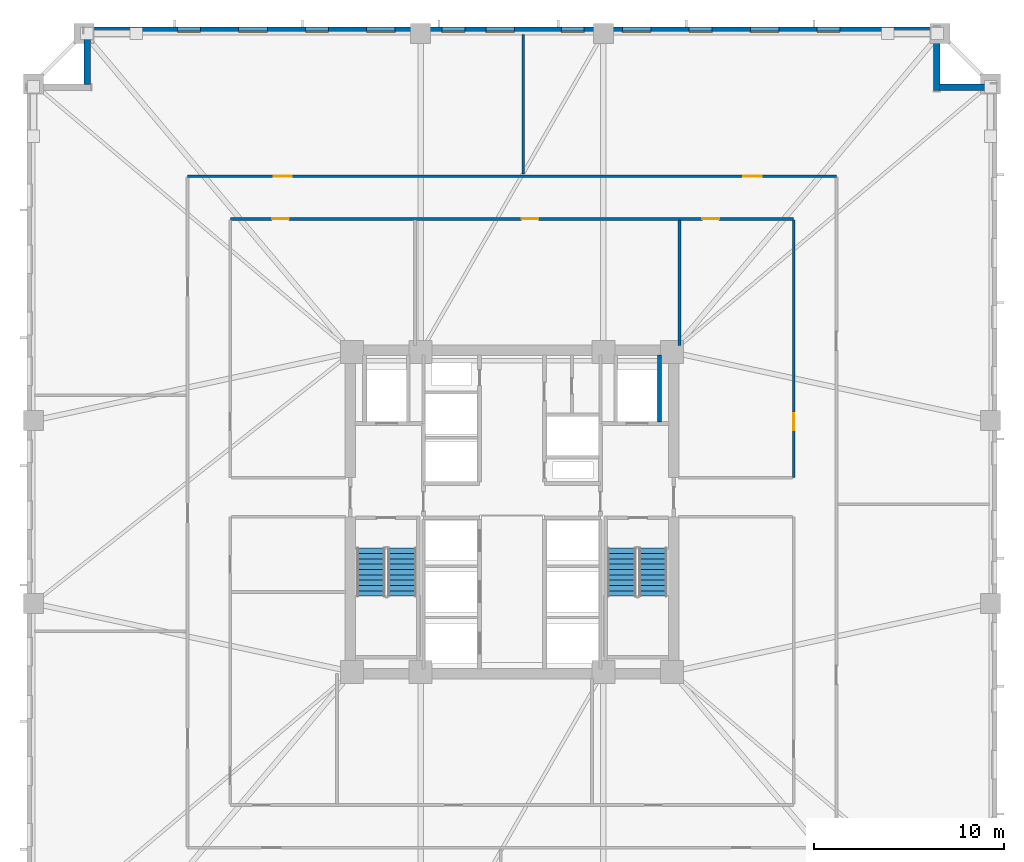
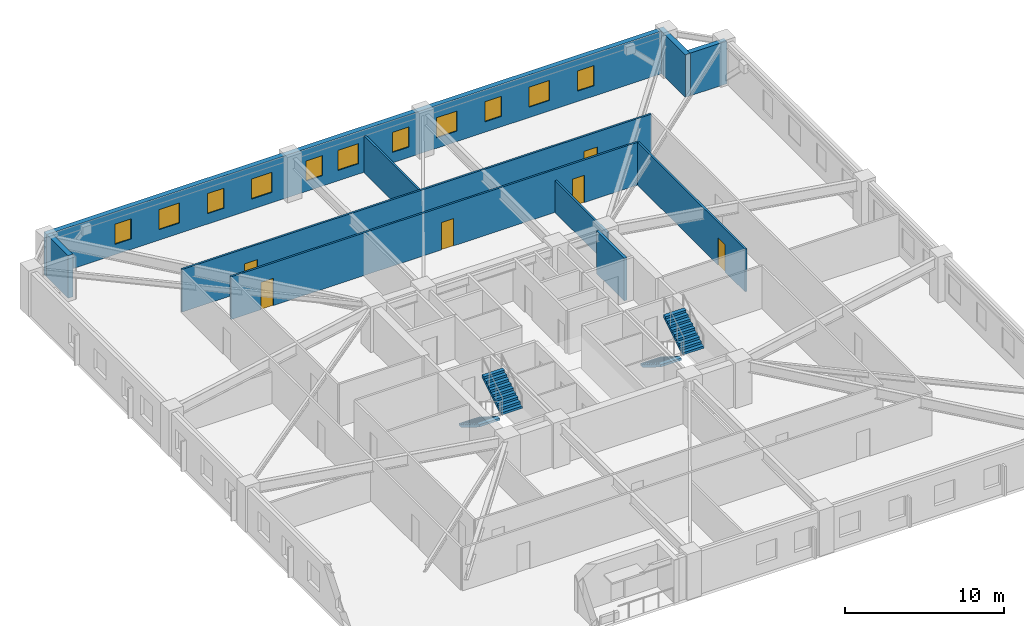
# One storey, part 5 of 10: 11 windows, 10 walls, 6 doors, 4 stair flights, 17 openings, 2 elements without a shape of their own.
"""IFC4 building model written with IfcOpenShell, lengths in metres."""

from ifc_helpers import new_model, si_unit, direction, frame, frame_2d, origin, place, context, subcontext, project, spatial, polyline, rectangle, outline, extrude, material, layer, layer_set, type_object, element, fill, aggregate, save


model = new_model("IFC4")

# Units and contexts
model_context = context("Model", 3, precision=1e-05, world=origin(), true_north=direction((0.0, 1.0)))
body_context = subcontext(model_context, "Body", "Model", "MODEL_VIEW")
ifc_project = project(units=[si_unit("LENGTHUNIT", "METRE"), si_unit("AREAUNIT", "SQUARE_METRE"), si_unit("VOLUMEUNIT", "CUBIC_METRE"), si_unit("PLANEANGLEUNIT", "RADIAN"), si_unit("MASSUNIT", "GRAM", prefix="KILO")], contexts=[model_context])

# Site, building, storey
site_placement = place(None, origin())
site = spatial("IfcSite", under=ifc_project, at=site_placement, CompositionType="ELEMENT")
building_placement = place(site_placement, origin())
building = spatial("IfcBuilding", under=site, at=building_placement, Name="Cairnveth Concourse Tower", CompositionType="ELEMENT")
storey_placement = place(building_placement, frame((0.0, 0.0, 27.0)))
storey = spatial("IfcBuildingStorey", under=building, at=storey_placement, Name="L06", CompositionType="ELEMENT", Elevation=27.0)

# Wall
ifc_material_1 = material(Name="Concrete N50 (50 MPa)", Category="concrete")
ifc_layer_1 = layer(ifc_material_1, 0.199951171875)
ifc_layer_set_1 = layer_set([ifc_layer_1], Name="Concrete N50 (50 MPa)")
wall_type_1 = type_object("IfcWallType", Name="FIRE SHAFT WALL 200", PredefinedType="SOLIDWALL", material=ifc_layer_set_1)
wall_1_placement = place(storey_placement, frame((59.75, 43.735107421875, 0.0), z_axis=(0.0, 0.0, 1.0), x_axis=(0.0, 1.0, 0.0)))
element("IfcWall", 1, at=wall_1_placement, inside=storey, type_object=wall_type_1, Name="Interior Wall IW-L06-024", PredefinedType="SOLIDWALL", context=body_context, shape_type="SweptSolid", body=[
    extrude(rectangle(XDim=3.5048828125, YDim=0.199951171875, at=frame_2d((1.75244140625, 0.0))), origin(), (0.0, 0.0, 1.0), 3.280029296875),
])

# Wall, openings, doors
ifc_material_2 = material(Name="Gypsum Plasterboard Partition", Category="gypsum")
ifc_layer_2 = layer(ifc_material_2, 0.139892578125)
ifc_layer_set_2 = layer_set([ifc_layer_2], Name="Gypsum Plasterboard Partition")
wall_type_2 = type_object("IfcWallType", Name="GYPSUM STUD PARTITION 140", PredefinedType="PARTITIONING", material=ifc_layer_set_2)
wall_2_placement = place(storey_placement, frame((34.949951171875, 56.64990234375, 0.0), z_axis=(0.0, 0.0, 1.0), x_axis=(1.0, 0.0, 0.0)))
wall_2 = element("IfcWall", 2, at=wall_2_placement, inside=storey, type_object=wall_type_2, Name="Interior Wall IW-L06-039", PredefinedType="PARTITIONING", context=body_context, shape_type="SweptSolid", body=[
    extrude(rectangle(XDim=34.10009765625, YDim=0.139892578125, at=frame_2d((17.050048828125, 0.0))), origin(), (0.0, 0.0, 1.0), 3.280029296875),
])
opening_1_placement = place(wall_2_placement, frame((4.5224609375, 0.0, 0.0)))
opening_1 = element("IfcOpeningElement", 3, at=opening_1_placement, cuts=wall_2, Name="Opening ID11", PredefinedType="OPENING", context=body_context, shape_type="SweptSolid", body=[
    extrude(rectangle(XDim=0.9599609375, YDim=2.1201171875, at=frame_2d((0.47998046875, 1.06005859375))), frame((0.0, 0.079833984375, 0.0), z_axis=(0.0, -1.0, 0.0), x_axis=(1.0, 0.0, 0.0)), (0.0, 0.0, 1.0), 0.159912109375),
])
opening_2_placement = place(wall_2_placement, frame((29.202392578125, 0.0, 0.0)))
opening_2 = element("IfcOpeningElement", 4, at=opening_2_placement, cuts=wall_2, Name="Opening ID11", PredefinedType="OPENING", context=body_context, shape_type="SweptSolid", body=[
    extrude(rectangle(XDim=0.9599609375, YDim=2.1201171875, at=frame_2d((0.47998046875, 1.06005859375))), frame((0.0, 0.079833984375, 0.0), z_axis=(0.0, -1.0, 0.0), x_axis=(1.0, 0.0, 0.0)), (0.0, 0.0, 1.0), 0.159912109375),
])
ifc_material_3 = material(Name="Solid Core Hardwood Timber Leaf", Category="wood")
door_type_1 = type_object("IfcDoorType", Name="INTERIOR SINGLE DOOR 960X2150", OperationType="NOTDEFINED", PredefinedType="DOOR", material=ifc_material_3)
door_1_placement = place(opening_1_placement, origin())
door_1 = element("IfcDoor", 5, at=door_1_placement, inside=storey, type_object=door_type_1, Name="Office Door L06-N1", OperationType="SINGLE_SWING_LEFT", OverallHeight=2.1201171875, OverallWidth=0.9599609375, PredefinedType="DOOR", context=body_context, shape_type="SweptSolid", body=[
    extrude(rectangle(XDim=0.9599609375, YDim=2.1201171875, at=frame_2d((0.47998046875, 1.06005859375))), frame((0.0, 0.02490234375, 0.0), z_axis=(0.0, -1.0, 0.0), x_axis=(1.0, 0.0, 0.0)), (0.0, 0.0, 1.0), 0.050048828125),
])
fill(opening_1, door_1)
door_2_placement = place(opening_2_placement, origin())
door_2 = element("IfcDoor", 6, at=door_2_placement, inside=storey, type_object=door_type_1, Name="Office Door L06-N2", OperationType="SINGLE_SWING_RIGHT", OverallHeight=2.1201171875, OverallWidth=0.9599609375, PredefinedType="DOOR", context=body_context, shape_type="SweptSolid", body=[
    extrude(rectangle(XDim=0.9599609375, YDim=2.1201171875, at=frame_2d((0.47998046875, 1.06005859375))), frame((0.0, 0.02490234375, 0.0), z_axis=(0.0, -1.0, 0.0), x_axis=(1.0, 0.0, 0.0)), (0.0, 0.0, 1.0), 0.050048828125),
])
fill(opening_2, door_2)

wall_3_placement = place(storey_placement, frame((37.199951171875, 54.39990234375, 0.0), z_axis=(0.0, 0.0, 1.0), x_axis=(1.0, 0.0, 0.0)))
wall_3 = element("IfcWall", 7, at=wall_3_placement, inside=storey, type_object=wall_type_2, Name="Interior Wall IW-L06-043", PredefinedType="PARTITIONING", context=body_context, shape_type="SweptSolid", body=[
    extrude(rectangle(XDim=29.60009765625, YDim=0.139892578125, at=frame_2d((14.800048828125, 0.0))), origin(), (0.0, 0.0, 1.0), 3.280029296875),
])
opening_3_placement = place(wall_3_placement, frame((2.199951171875, 0.0, 0.0)))
opening_3 = element("IfcOpeningElement", 8, at=opening_3_placement, cuts=wall_3, Name="Opening ID18", PredefinedType="OPENING", context=body_context, shape_type="SweptSolid", body=[
    extrude(rectangle(XDim=0.8798828125, YDim=2.10009765625, at=frame_2d((0.43994140625, 1.050048828125))), frame((0.0, 0.079833984375, 0.0), z_axis=(0.0, -1.0, 0.0), x_axis=(1.0, 0.0, 0.0)), (0.0, 0.0, 1.0), 0.159912109375),
])
opening_4_placement = place(wall_3_placement, frame((15.300048828125, 0.0, 0.0)))
opening_4 = element("IfcOpeningElement", 9, at=opening_4_placement, cuts=wall_3, Name="Opening ID18", PredefinedType="OPENING", context=body_context, shape_type="SweptSolid", body=[
    extrude(rectangle(XDim=0.8798828125, YDim=2.10009765625, at=frame_2d((0.43994140625, 1.050048828125))), frame((0.0, 0.079833984375, 0.0), z_axis=(0.0, -1.0, 0.0), x_axis=(1.0, 0.0, 0.0)), (0.0, 0.0, 1.0), 0.159912109375),
])
opening_5_placement = place(wall_3_placement, frame((24.800048828125, 0.0, 0.0)))
opening_5 = element("IfcOpeningElement", 10, at=opening_5_placement, cuts=wall_3, Name="Opening ID18", PredefinedType="OPENING", context=body_context, shape_type="SweptSolid", body=[
    extrude(rectangle(XDim=0.8798828125, YDim=2.10009765625, at=frame_2d((0.43994140625, 1.050048828125))), frame((0.0, 0.079833984375, 0.0), z_axis=(0.0, -1.0, 0.0), x_axis=(1.0, 0.0, 0.0)), (0.0, 0.0, 1.0), 0.159912109375),
])
door_type_2 = type_object("IfcDoorType", Name="INTERIOR SINGLE DOOR 880X2100", OperationType="NOTDEFINED", PredefinedType="DOOR", material=ifc_material_3)
door_3_placement = place(opening_3_placement, origin())
door_3 = element("IfcDoor", 11, at=door_3_placement, inside=storey, type_object=door_type_2, Name="Interior Door DR-L06-017", OperationType="SINGLE_SWING_LEFT", OverallHeight=2.10009765625, OverallWidth=0.8798828125, PredefinedType="DOOR", context=body_context, shape_type="SweptSolid", body=[
    extrude(rectangle(XDim=0.8798828125, YDim=2.10009765625, at=frame_2d((0.43994140625, 1.050048828125))), frame((0.0, 0.02490234375, 0.0), z_axis=(0.0, -1.0, 0.0), x_axis=(1.0, 0.0, 0.0)), (0.0, 0.0, 1.0), 0.050048828125),
])
fill(opening_3, door_3)
door_4_placement = place(opening_4_placement, origin())
door_4 = element("IfcDoor", 12, at=door_4_placement, inside=storey, type_object=door_type_2, Name="Interior Door DR-L06-018", OperationType="SINGLE_SWING_RIGHT", OverallHeight=2.10009765625, OverallWidth=0.8798828125, PredefinedType="DOOR", context=body_context, shape_type="SweptSolid", body=[
    extrude(rectangle(XDim=0.8798828125, YDim=2.10009765625, at=frame_2d((0.43994140625, 1.050048828125))), frame((0.0, 0.02490234375, 0.0), z_axis=(0.0, -1.0, 0.0), x_axis=(1.0, 0.0, 0.0)), (0.0, 0.0, 1.0), 0.050048828125),
])
fill(opening_4, door_4)
door_5_placement = place(opening_5_placement, origin())
door_5 = element("IfcDoor", 13, at=door_5_placement, inside=storey, type_object=door_type_2, Name="Interior Door DR-L06-019", OperationType="SINGLE_SWING_LEFT", OverallHeight=2.10009765625, OverallWidth=0.8798828125, PredefinedType="DOOR", context=body_context, shape_type="SweptSolid", body=[
    extrude(rectangle(XDim=0.8798828125, YDim=2.10009765625, at=frame_2d((0.43994140625, 1.050048828125))), frame((0.0, 0.02490234375, 0.0), z_axis=(0.0, -1.0, 0.0), x_axis=(1.0, 0.0, 0.0)), (0.0, 0.0, 1.0), 0.050048828125),
])
fill(opening_5, door_5)

# Wall, opening, door
wall_4_placement = place(storey_placement, frame((66.800048828125, 40.800048828125, 0.0), z_axis=(0.0, 0.0, 1.0), x_axis=(0.0, 1.0, 0.0)))
wall_4 = element("IfcWall", 14, at=wall_4_placement, inside=storey, type_object=wall_type_2, Name="Interior Wall IW-L06-049", PredefinedType="PARTITIONING", context=body_context, shape_type="SweptSolid", body=[
    extrude(rectangle(XDim=13.544921875, YDim=0.139892578125, at=frame_2d((6.7724609375, 0.0))), origin(), (0.0, 0.0, 1.0), 3.280029296875),
])
opening_6_placement = place(wall_4_placement, frame((2.5, 0.0, 0.0)))
opening_6 = element("IfcOpeningElement", 15, at=opening_6_placement, cuts=wall_4, Name="Opening ID18", PredefinedType="OPENING", context=body_context, shape_type="SweptSolid", body=[
    extrude(rectangle(XDim=0.8798828125, YDim=2.10009765625, at=frame_2d((0.43994140625, 1.050048828125))), frame((0.0, 0.079833984375, 0.0), z_axis=(0.0, -1.0, 0.0), x_axis=(1.0, 0.0, 0.0)), (0.0, 0.0, 1.0), 0.159912109375),
])
door_6_placement = place(opening_6_placement, origin())
door_6 = element("IfcDoor", 16, at=door_6_placement, inside=storey, type_object=door_type_2, Name="Interior Door DR-L06-024", OperationType="SINGLE_SWING_RIGHT", OverallHeight=2.10009765625, OverallWidth=0.8798828125, PredefinedType="DOOR", context=body_context, shape_type="SweptSolid", body=[
    extrude(rectangle(XDim=0.8798828125, YDim=2.10009765625, at=frame_2d((0.43994140625, 1.050048828125))), frame((0.0, 0.02490234375, 0.0), z_axis=(0.0, -1.0, 0.0), x_axis=(1.0, 0.0, 0.0)), (0.0, 0.0, 1.0), 0.050048828125),
])
fill(opening_6, door_6)

# Walls
wall_5_placement = place(storey_placement, frame((60.800048828125, 47.760009765625, 0.0), z_axis=(0.0, 0.0, 1.0), x_axis=(0.0, 1.0, 0.0)))
element("IfcWall", 17, at=wall_5_placement, inside=storey, type_object=wall_type_2, Name="Interior Wall IW-L06-055", PredefinedType="PARTITIONING", context=body_context, shape_type="SweptSolid", body=[
    extrude(rectangle(XDim=6.5849609375, YDim=0.139892578125, at=frame_2d((3.29248046875, 0.0))), origin(), (0.0, 0.0, 1.0), 2.43896484375),
])
wall_6_placement = place(storey_placement, frame((52.5849609375, 56.75, 0.0), z_axis=(0.0, 0.0, 1.0), x_axis=(0.0, 1.0, 0.0)))
element("IfcWall", 18, at=wall_6_placement, inside=storey, type_object=wall_type_2, Name="Interior Wall IW-L06-058", PredefinedType="PARTITIONING", context=body_context, shape_type="SweptSolid", body=[
    extrude(rectangle(XDim=7.330078125, YDim=0.139892578125, at=frame_2d((3.6650390625, 0.0))), origin(), (0.0, 0.0, 1.0), 2.84912109375),
])
ifc_material_4 = material(Name="Hawthorn Red-Ochre Fired Clay Brick Masonry", Category="masonry")
ifc_layer_3 = layer(ifc_material_4, 0.360107421875)
ifc_layer_set_3 = layer_set([ifc_layer_3], Name="Hawthorn Red-Ochre Fired Clay Brick Masonry")
wall_type_3 = type_object("IfcWallType", Name="ZONE 1 BRICK PIER SPANDREL WALL 360", PredefinedType="SOLIDWALL", material=ifc_layer_set_3)
wall_7_placement = place(storey_placement, frame((29.679931640625, 61.47802734375, 0.0), z_axis=(0.0, 0.0, 1.0), x_axis=(0.0, 1.0, 0.0)))
element("IfcWall", 19, at=wall_7_placement, inside=storey, type_object=wall_type_3, Name="Exterior Wall EW-L06-S05", PredefinedType="SOLIDWALL", context=body_context, shape_type="SweptSolid", body=[
    extrude(rectangle(XDim=2.68408203125, YDim=0.360107421875, at=frame_2d((1.342041015625, 0.0))), origin(), (0.0, 0.0, 1.0), 3.280029296875),
])

# Wall, openings, windows
wall_8_placement = place(storey_placement, frame((29.5, 64.320068359375, 0.0), z_axis=(0.0, 0.0, 1.0), x_axis=(1.0, 0.0, 0.0)))
wall_8 = element("IfcWall", 20, at=wall_8_placement, inside=storey, type_object=wall_type_3, Name="Exterior Wall EW-L06-S06", PredefinedType="SOLIDWALL", context=body_context, shape_type="SweptSolid", body=[
    extrude(rectangle(XDim=44.662109375, YDim=0.360107421875, at=frame_2d((22.3310546875, 0.0))), origin(), (0.0, 0.0, 1.0), 3.280029296875),
])
opening_7_placement = place(wall_8_placement, frame((4.93017578125, 0.0, 0.800048828125)))
opening_7 = element("IfcOpeningElement", 21, at=opening_7_placement, cuts=wall_8, Name="Opening W01", PredefinedType="OPENING", context=body_context, shape_type="SweptSolid", body=[
    extrude(rectangle(XDim=1.199951171875, YDim=1.5439453125, at=frame_2d((0.60009765625, 0.77197265625))), frame((0.0, 0.18994140625, 0.0), z_axis=(0.0, -1.0, 0.0), x_axis=(1.0, 0.0, 0.0)), (0.0, 0.0, 1.0), 0.380126953125),
])
opening_8_placement = place(wall_8_placement, frame((8.140380859375, 0.0, 0.800048828125)))
opening_8 = element("IfcOpeningElement", 22, at=opening_8_placement, cuts=wall_8, Name="Opening W03", PredefinedType="OPENING", context=body_context, shape_type="SweptSolid", body=[
    extrude(rectangle(XDim=1.5, YDim=1.5439453125, at=frame_2d((0.75, 0.77197265625))), frame((0.0, 0.18994140625, 0.0), z_axis=(0.0, -1.0, 0.0), x_axis=(1.0, 0.0, 0.0)), (0.0, 0.0, 1.0), 0.380126953125),
])
opening_9_placement = place(wall_8_placement, frame((11.650390625, 0.0, 0.800048828125)))
opening_9 = element("IfcOpeningElement", 23, at=opening_9_placement, cuts=wall_8, Name="Opening W01", PredefinedType="OPENING", context=body_context, shape_type="SweptSolid", body=[
    extrude(rectangle(XDim=1.199951171875, YDim=1.5439453125, at=frame_2d((0.60009765625, 0.77197265625))), frame((0.0, 0.18994140625, 0.0), z_axis=(0.0, -1.0, 0.0), x_axis=(1.0, 0.0, 0.0)), (0.0, 0.0, 1.0), 0.380126953125),
])
opening_10_placement = place(wall_8_placement, frame((14.860595703125, 0.0, 0.800048828125)))
opening_10 = element("IfcOpeningElement", 24, at=opening_10_placement, cuts=wall_8, Name="Opening W03", PredefinedType="OPENING", context=body_context, shape_type="SweptSolid", body=[
    extrude(rectangle(XDim=1.5, YDim=1.5439453125, at=frame_2d((0.75, 0.77197265625))), frame((0.0, 0.18994140625, 0.0), z_axis=(0.0, -1.0, 0.0), x_axis=(1.0, 0.0, 0.0)), (0.0, 0.0, 1.0), 0.380126953125),
])
opening_11_placement = place(wall_8_placement, frame((18.82080078125, 0.0, 0.800048828125)))
opening_11 = element("IfcOpeningElement", 25, at=opening_11_placement, cuts=wall_8, Name="Opening W01", PredefinedType="OPENING", context=body_context, shape_type="SweptSolid", body=[
    extrude(rectangle(XDim=1.199951171875, YDim=1.5439453125, at=frame_2d((0.60009765625, 0.77197265625))), frame((0.0, 0.18994140625, 0.0), z_axis=(0.0, -1.0, 0.0), x_axis=(1.0, 0.0, 0.0)), (0.0, 0.0, 1.0), 0.380126953125),
])
opening_12_placement = place(wall_8_placement, frame((21.131103515625, 0.0, 0.800048828125)))
opening_12 = element("IfcOpeningElement", 26, at=opening_12_placement, cuts=wall_8, Name="Opening W03", PredefinedType="OPENING", context=body_context, shape_type="SweptSolid", body=[
    extrude(rectangle(XDim=1.5, YDim=1.5439453125, at=frame_2d((0.75, 0.77197265625))), frame((0.0, 0.18994140625, 0.0), z_axis=(0.0, -1.0, 0.0), x_axis=(1.0, 0.0, 0.0)), (0.0, 0.0, 1.0), 0.380126953125),
])
opening_13_placement = place(wall_8_placement, frame((25.09130859375, 0.0, 0.800048828125)))
opening_13 = element("IfcOpeningElement", 27, at=opening_13_placement, cuts=wall_8, Name="Opening W01", PredefinedType="OPENING", context=body_context, shape_type="SweptSolid", body=[
    extrude(rectangle(XDim=1.199951171875, YDim=1.5439453125, at=frame_2d((0.60009765625, 0.77197265625))), frame((0.0, 0.18994140625, 0.0), z_axis=(0.0, -1.0, 0.0), x_axis=(1.0, 0.0, 0.0)), (0.0, 0.0, 1.0), 0.380126953125),
])
opening_14_placement = place(wall_8_placement, frame((28.301513671875, 0.0, 0.800048828125)))
opening_14 = element("IfcOpeningElement", 28, at=opening_14_placement, cuts=wall_8, Name="Opening W03", PredefinedType="OPENING", context=body_context, shape_type="SweptSolid", body=[
    extrude(rectangle(XDim=1.5, YDim=1.5439453125, at=frame_2d((0.75, 0.77197265625))), frame((0.0, 0.18994140625, 0.0), z_axis=(0.0, -1.0, 0.0), x_axis=(1.0, 0.0, 0.0)), (0.0, 0.0, 1.0), 0.380126953125),
])
opening_15_placement = place(wall_8_placement, frame((31.8115234375, 0.0, 0.800048828125)))
opening_15 = element("IfcOpeningElement", 29, at=opening_15_placement, cuts=wall_8, Name="Opening W01", PredefinedType="OPENING", context=body_context, shape_type="SweptSolid", body=[
    extrude(rectangle(XDim=1.199951171875, YDim=1.5439453125, at=frame_2d((0.60009765625, 0.77197265625))), frame((0.0, 0.18994140625, 0.0), z_axis=(0.0, -1.0, 0.0), x_axis=(1.0, 0.0, 0.0)), (0.0, 0.0, 1.0), 0.380126953125),
])
opening_16_placement = place(wall_8_placement, frame((35.021728515625, 0.0, 0.800048828125)))
opening_16 = element("IfcOpeningElement", 30, at=opening_16_placement, cuts=wall_8, Name="Opening W03", PredefinedType="OPENING", context=body_context, shape_type="SweptSolid", body=[
    extrude(rectangle(XDim=1.5, YDim=1.5439453125, at=frame_2d((0.75, 0.77197265625))), frame((0.0, 0.18994140625, 0.0), z_axis=(0.0, -1.0, 0.0), x_axis=(1.0, 0.0, 0.0)), (0.0, 0.0, 1.0), 0.380126953125),
])
opening_17_placement = place(wall_8_placement, frame((38.531982421875, 0.0, 0.800048828125)))
opening_17 = element("IfcOpeningElement", 31, at=opening_17_placement, cuts=wall_8, Name="Opening W01", PredefinedType="OPENING", context=body_context, shape_type="SweptSolid", body=[
    extrude(rectangle(XDim=1.199951171875, YDim=1.5439453125, at=frame_2d((0.60009765625, 0.77197265625))), frame((0.0, 0.18994140625, 0.0), z_axis=(0.0, -1.0, 0.0), x_axis=(1.0, 0.0, 0.0)), (0.0, 0.0, 1.0), 0.380126953125),
])
ifc_material_5 = material(Name="Double Glazed Low-E Clear Glass", Category="glass")
window_type_1 = type_object("IfcWindowType", Name="DEEP-SET GOTHIC LANCET WINDOW 1200X1800", PartitioningType="DOUBLE_PANEL_VERTICAL", PredefinedType="WINDOW", material=ifc_material_5)
window_1_placement = place(opening_7_placement, origin())
window_1 = element("IfcWindow", 32, at=window_1_placement, inside=storey, type_object=window_type_1, Name="Gothic Lancet Window L06-6-1", OverallHeight=1.5439453125, OverallWidth=1.199951171875, PartitioningType="SINGLE_PANEL", PredefinedType="WINDOW", context=body_context, shape_type="SweptSolid", body=[
    extrude(rectangle(XDim=1.199951171875, YDim=1.5439453125, at=frame_2d((0.60009765625, 0.77197265625))), frame((0.0, -0.050048828125, 0.0), z_axis=(0.0, -1.0, 0.0), x_axis=(1.0, 0.0, 0.0)), (0.0, 0.0, 1.0), 0.06005859375),
])
fill(opening_7, window_1)
window_2_placement = place(opening_9_placement, origin())
window_2 = element("IfcWindow", 33, at=window_2_placement, inside=storey, type_object=window_type_1, Name="Gothic Lancet Window L06-6-3", OverallHeight=1.5439453125, OverallWidth=1.199951171875, PartitioningType="SINGLE_PANEL", PredefinedType="WINDOW", context=body_context, shape_type="SweptSolid", body=[
    extrude(rectangle(XDim=1.199951171875, YDim=1.5439453125, at=frame_2d((0.60009765625, 0.77197265625))), frame((0.0, -0.050048828125, 0.0), z_axis=(0.0, -1.0, 0.0), x_axis=(1.0, 0.0, 0.0)), (0.0, 0.0, 1.0), 0.06005859375),
])
fill(opening_9, window_2)
window_3_placement = place(opening_11_placement, origin())
window_3 = element("IfcWindow", 34, at=window_3_placement, inside=storey, type_object=window_type_1, Name="Gothic Lancet Window L06-6-5", OverallHeight=1.5439453125, OverallWidth=1.199951171875, PartitioningType="SINGLE_PANEL", PredefinedType="WINDOW", context=body_context, shape_type="SweptSolid", body=[
    extrude(rectangle(XDim=1.199951171875, YDim=1.5439453125, at=frame_2d((0.60009765625, 0.77197265625))), frame((0.0, -0.050048828125, 0.0), z_axis=(0.0, -1.0, 0.0), x_axis=(1.0, 0.0, 0.0)), (0.0, 0.0, 1.0), 0.06005859375),
])
fill(opening_11, window_3)
window_4_placement = place(opening_13_placement, origin())
window_4 = element("IfcWindow", 35, at=window_4_placement, inside=storey, type_object=window_type_1, Name="Gothic Lancet Window L06-6-7", OverallHeight=1.5439453125, OverallWidth=1.199951171875, PartitioningType="SINGLE_PANEL", PredefinedType="WINDOW", context=body_context, shape_type="SweptSolid", body=[
    extrude(rectangle(XDim=1.199951171875, YDim=1.5439453125, at=frame_2d((0.60009765625, 0.77197265625))), frame((0.0, -0.050048828125, 0.0), z_axis=(0.0, -1.0, 0.0), x_axis=(1.0, 0.0, 0.0)), (0.0, 0.0, 1.0), 0.06005859375),
])
fill(opening_13, window_4)
window_5_placement = place(opening_15_placement, origin())
window_5 = element("IfcWindow", 36, at=window_5_placement, inside=storey, type_object=window_type_1, Name="Gothic Lancet Window L06-6-9", OverallHeight=1.5439453125, OverallWidth=1.199951171875, PartitioningType="SINGLE_PANEL", PredefinedType="WINDOW", context=body_context, shape_type="SweptSolid", body=[
    extrude(rectangle(XDim=1.199951171875, YDim=1.5439453125, at=frame_2d((0.60009765625, 0.77197265625))), frame((0.0, -0.050048828125, 0.0), z_axis=(0.0, -1.0, 0.0), x_axis=(1.0, 0.0, 0.0)), (0.0, 0.0, 1.0), 0.06005859375),
])
fill(opening_15, window_5)
window_6_placement = place(opening_17_placement, origin())
window_6 = element("IfcWindow", 37, at=window_6_placement, inside=storey, type_object=window_type_1, Name="Gothic Lancet Window L06-6-11", OverallHeight=1.5439453125, OverallWidth=1.199951171875, PartitioningType="SINGLE_PANEL", PredefinedType="WINDOW", context=body_context, shape_type="SweptSolid", body=[
    extrude(rectangle(XDim=1.199951171875, YDim=1.5439453125, at=frame_2d((0.60009765625, 0.77197265625))), frame((0.0, -0.050048828125, 0.0), z_axis=(0.0, -1.0, 0.0), x_axis=(1.0, 0.0, 0.0)), (0.0, 0.0, 1.0), 0.06005859375),
])
fill(opening_17, window_6)
window_type_2 = type_object("IfcWindowType", Name="DEEP-SET GOTHIC LANCET WINDOW 1500X1800", PartitioningType="DOUBLE_PANEL_VERTICAL", PredefinedType="WINDOW", material=ifc_material_5)
window_7_placement = place(opening_8_placement, origin())
window_7 = element("IfcWindow", 38, at=window_7_placement, inside=storey, type_object=window_type_2, Name="Gothic Lancet Window L06-6-2", OverallHeight=1.5439453125, OverallWidth=1.5, PartitioningType="SINGLE_PANEL", PredefinedType="WINDOW", context=body_context, shape_type="SweptSolid", body=[
    extrude(rectangle(XDim=1.5, YDim=1.5439453125, at=frame_2d((0.75, 0.77197265625))), frame((0.0, -0.050048828125, 0.0), z_axis=(0.0, -1.0, 0.0), x_axis=(1.0, 0.0, 0.0)), (0.0, 0.0, 1.0), 0.06005859375),
])
fill(opening_8, window_7)
window_8_placement = place(opening_10_placement, origin())
window_8 = element("IfcWindow", 39, at=window_8_placement, inside=storey, type_object=window_type_2, Name="Gothic Lancet Window L06-6-4", OverallHeight=1.5439453125, OverallWidth=1.5, PartitioningType="SINGLE_PANEL", PredefinedType="WINDOW", context=body_context, shape_type="SweptSolid", body=[
    extrude(rectangle(XDim=1.5, YDim=1.5439453125, at=frame_2d((0.75, 0.77197265625))), frame((0.0, -0.050048828125, 0.0), z_axis=(0.0, -1.0, 0.0), x_axis=(1.0, 0.0, 0.0)), (0.0, 0.0, 1.0), 0.06005859375),
])
fill(opening_10, window_8)
window_9_placement = place(opening_12_placement, origin())
window_9 = element("IfcWindow", 40, at=window_9_placement, inside=storey, type_object=window_type_2, Name="Gothic Lancet Window L06-6-6", OverallHeight=1.5439453125, OverallWidth=1.5, PartitioningType="SINGLE_PANEL", PredefinedType="WINDOW", context=body_context, shape_type="SweptSolid", body=[
    extrude(rectangle(XDim=1.5, YDim=1.5439453125, at=frame_2d((0.75, 0.77197265625))), frame((0.0, -0.050048828125, 0.0), z_axis=(0.0, -1.0, 0.0), x_axis=(1.0, 0.0, 0.0)), (0.0, 0.0, 1.0), 0.06005859375),
])
fill(opening_12, window_9)
window_10_placement = place(opening_14_placement, origin())
window_10 = element("IfcWindow", 41, at=window_10_placement, inside=storey, type_object=window_type_2, Name="Gothic Lancet Window L06-6-8", OverallHeight=1.5439453125, OverallWidth=1.5, PartitioningType="SINGLE_PANEL", PredefinedType="WINDOW", context=body_context, shape_type="SweptSolid", body=[
    extrude(rectangle(XDim=1.5, YDim=1.5439453125, at=frame_2d((0.75, 0.77197265625))), frame((0.0, -0.050048828125, 0.0), z_axis=(0.0, -1.0, 0.0), x_axis=(1.0, 0.0, 0.0)), (0.0, 0.0, 1.0), 0.06005859375),
])
fill(opening_14, window_10)
window_11_placement = place(opening_16_placement, origin())
window_11 = element("IfcWindow", 42, at=window_11_placement, inside=storey, type_object=window_type_2, Name="Gothic Lancet Window L06-6-10", OverallHeight=1.5439453125, OverallWidth=1.5, PartitioningType="SINGLE_PANEL", PredefinedType="WINDOW", context=body_context, shape_type="SweptSolid", body=[
    extrude(rectangle(XDim=1.5, YDim=1.5439453125, at=frame_2d((0.75, 0.77197265625))), frame((0.0, -0.050048828125, 0.0), z_axis=(0.0, -1.0, 0.0), x_axis=(1.0, 0.0, 0.0)), (0.0, 0.0, 1.0), 0.06005859375),
])
fill(opening_16, window_11)

# Walls
wall_9_placement = place(storey_placement, frame((74.320068359375, 64.5, 0.0), z_axis=(0.0, 0.0, 1.0), x_axis=(0.0, -1.0, 0.0)))
element("IfcWall", 43, at=wall_9_placement, inside=storey, type_object=wall_type_3, Name="Exterior Wall EW-L06-S07", PredefinedType="SOLIDWALL", context=body_context, shape_type="SweptSolid", body=[
    extrude(rectangle(XDim=3.360107421875, YDim=0.360107421875, at=frame_2d((1.68017578125, 0.0))), origin(), (0.0, 0.0, 1.0), 3.280029296875),
])
wall_10_placement = place(storey_placement, frame((74.47802734375, 61.320068359375, 0.0), z_axis=(0.0, 0.0, 1.0), x_axis=(1.0, 0.0, 0.0)))
element("IfcWall", 44, at=wall_10_placement, inside=storey, type_object=wall_type_3, Name="Exterior Wall EW-L06-S08", PredefinedType="SOLIDWALL", context=body_context, shape_type="SweptSolid", body=[
    extrude(rectangle(XDim=2.68408203125, YDim=0.360107421875, at=frame_2d((1.342041015625, 0.0))), origin(), (0.0, 0.0, 1.0), 3.280029296875),
])

# Stair, stair flights
ifc_material_6 = material(Name="Precast concrete N50 (50 MPa)", Category="concrete")
stair_type = type_object("IfcStairType", Name="CORE DOG-LEG FIRE STAIR 1500", PredefinedType="HALF_TURN_STAIR", material=ifc_material_6)
stair_1_placement = place(storey_placement, origin())
stair_1 = element("IfcStair", 45, at=stair_1_placement, inside=storey, type_object=stair_type, Name="L06 Fire-Isolated Stair ST-1", PredefinedType="HALF_TURN_STAIR")
stair_flight_type = type_object("IfcStairFlightType", Name="PRECAST CONCRETE STAIR FLIGHT 1500", PredefinedType="STRAIGHT", material=ifc_material_6)
stair_flight_1_placement = place(storey_placement, frame((44.590087890625, 37.10009765625, 0.0), z_axis=(0.0, 0.0, 1.0), x_axis=(0.0, -1.0, 0.0)))
stair_flight_1 = element("IfcStairFlight", 46, at=stair_flight_1_placement, type_object=stair_flight_type, Name="ST-1 flight 1", NumberOfRisers=10, NumberOfTreads=9, PredefinedType="STRAIGHT", RiserHeight=0.175, TreadLength=0.28, context=body_context, shape_type="SweptSolid", body=[
    extrude(outline(polyline([(0.0, 0.0), (0.0, 0.175048828125), (0.280029296875, 0.175048828125), (0.280029296875, 0.35009765625), (0.56005859375, 0.35009765625), (0.56005859375, 0.52490234375), (0.840087890625, 0.52490234375), (0.840087890625, 0.699951171875), (1.1201171875, 0.699951171875), (1.1201171875, 0.875), (1.39990234375, 0.875), (1.39990234375, 1.050048828125), (1.679931640625, 1.050048828125), (1.679931640625, 1.22509765625), (1.9599609375, 1.22509765625), (1.9599609375, 1.39990234375), (2.239990234375, 1.39990234375), (2.239990234375, 1.574951171875), (2.52001953125, 1.574951171875), (2.52001953125, 1.75), (2.52001953125, 1.398193359375), (0.28271484375, 0.0), (0.0, 0.0)])), frame((0.0, 0.75, 0.0), z_axis=(0.0, -1.0, 0.0), x_axis=(1.0, 0.0, 0.0)), (0.0, 0.0, 1.0), 1.5),
])
stair_flight_2_placement = place(storey_placement, frame((46.22998046875, 34.580078125, 1.75), z_axis=(0.0, 0.0, 1.0), x_axis=(0.0, 1.0, 0.0)))
stair_flight_2 = element("IfcStairFlight", 47, at=stair_flight_2_placement, type_object=stair_flight_type, Name="ST-1 flight 2", NumberOfRisers=10, NumberOfTreads=9, PredefinedType="STRAIGHT", RiserHeight=0.175, TreadLength=0.28, context=body_context, shape_type="SweptSolid", body=[
    extrude(outline(polyline([(0.0, 0.0), (0.0, 0.175048828125), (0.280029296875, 0.175048828125), (0.280029296875, 0.35009765625), (0.56005859375, 0.35009765625), (0.56005859375, 0.52490234375), (0.840087890625, 0.52490234375), (0.840087890625, 0.699951171875), (1.1201171875, 0.699951171875), (1.1201171875, 0.875), (1.39990234375, 0.875), (1.39990234375, 1.050048828125), (1.679931640625, 1.050048828125), (1.679931640625, 1.22509765625), (1.9599609375, 1.22509765625), (1.9599609375, 1.39990234375), (2.239990234375, 1.39990234375), (2.239990234375, 1.574951171875), (2.52001953125, 1.574951171875), (2.52001953125, 1.75), (2.52001953125, 1.398193359375), (0.28271484375, 0.0), (0.0, 0.0)])), frame((0.0, 0.75, 0.0), z_axis=(0.0, -1.0, 0.0), x_axis=(1.0, 0.0, 0.0)), (0.0, 0.0, 1.0), 1.5),
])
aggregate(stair_1, [stair_flight_1, stair_flight_2])

stair_2_placement = place(storey_placement, origin())
stair_2 = element("IfcStair", 48, at=stair_2_placement, inside=storey, type_object=stair_type, Name="L06 Fire-Isolated Stair ST-2", PredefinedType="HALF_TURN_STAIR")
stair_flight_3_placement = place(storey_placement, frame((57.77001953125, 37.10009765625, 0.0), z_axis=(0.0, 0.0, 1.0), x_axis=(0.0, -1.0, 0.0)))
stair_flight_3 = element("IfcStairFlight", 49, at=stair_flight_3_placement, type_object=stair_flight_type, Name="ST-2 flight 1", NumberOfRisers=10, NumberOfTreads=9, PredefinedType="STRAIGHT", RiserHeight=0.175, TreadLength=0.28, context=body_context, shape_type="SweptSolid", body=[
    extrude(outline(polyline([(0.0, 0.0), (0.0, 0.175048828125), (0.280029296875, 0.175048828125), (0.280029296875, 0.35009765625), (0.56005859375, 0.35009765625), (0.56005859375, 0.52490234375), (0.840087890625, 0.52490234375), (0.840087890625, 0.699951171875), (1.1201171875, 0.699951171875), (1.1201171875, 0.875), (1.39990234375, 0.875), (1.39990234375, 1.050048828125), (1.679931640625, 1.050048828125), (1.679931640625, 1.22509765625), (1.9599609375, 1.22509765625), (1.9599609375, 1.39990234375), (2.239990234375, 1.39990234375), (2.239990234375, 1.574951171875), (2.52001953125, 1.574951171875), (2.52001953125, 1.75), (2.52001953125, 1.398193359375), (0.28271484375, 0.0), (0.0, 0.0)])), frame((0.0, 0.75, 0.0), z_axis=(0.0, -1.0, 0.0), x_axis=(1.0, 0.0, 0.0)), (0.0, 0.0, 1.0), 1.5),
])
stair_flight_4_placement = place(storey_placement, frame((59.409912109375, 34.580078125, 1.75), z_axis=(0.0, 0.0, 1.0), x_axis=(0.0, 1.0, 0.0)))
stair_flight_4 = element("IfcStairFlight", 50, at=stair_flight_4_placement, type_object=stair_flight_type, Name="ST-2 flight 2", NumberOfRisers=10, NumberOfTreads=9, PredefinedType="STRAIGHT", RiserHeight=0.175, TreadLength=0.28, context=body_context, shape_type="SweptSolid", body=[
    extrude(outline(polyline([(0.0, 0.0), (0.0, 0.175048828125), (0.280029296875, 0.175048828125), (0.280029296875, 0.35009765625), (0.56005859375, 0.35009765625), (0.56005859375, 0.52490234375), (0.840087890625, 0.52490234375), (0.840087890625, 0.699951171875), (1.1201171875, 0.699951171875), (1.1201171875, 0.875), (1.39990234375, 0.875), (1.39990234375, 1.050048828125), (1.679931640625, 1.050048828125), (1.679931640625, 1.22509765625), (1.9599609375, 1.22509765625), (1.9599609375, 1.39990234375), (2.239990234375, 1.39990234375), (2.239990234375, 1.574951171875), (2.52001953125, 1.574951171875), (2.52001953125, 1.75), (2.52001953125, 1.398193359375), (0.28271484375, 0.0), (0.0, 0.0)])), frame((0.0, 0.75, 0.0), z_axis=(0.0, -1.0, 0.0), x_axis=(1.0, 0.0, 0.0)), (0.0, 0.0, 1.0), 1.5),
])
aggregate(stair_2, [stair_flight_3, stair_flight_4])

save(model, "model.ifc")
